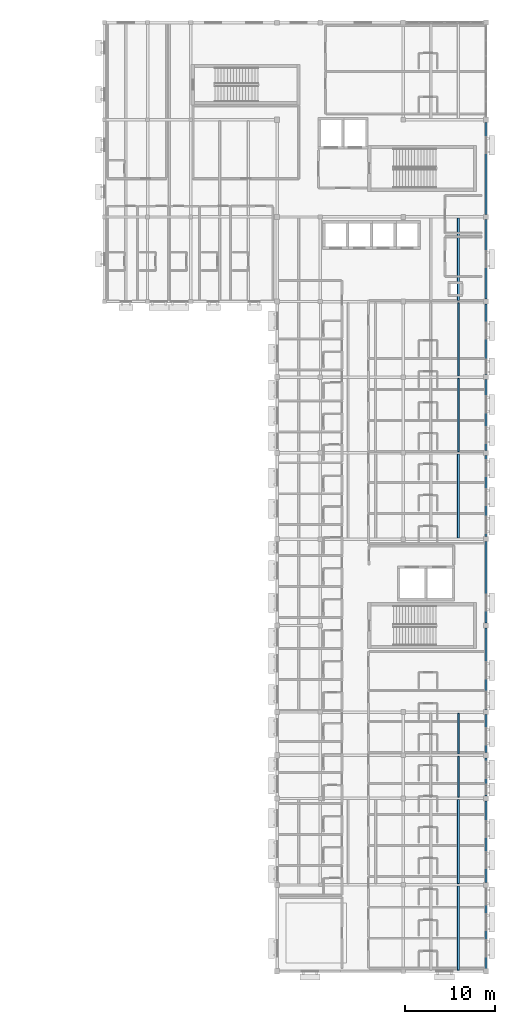
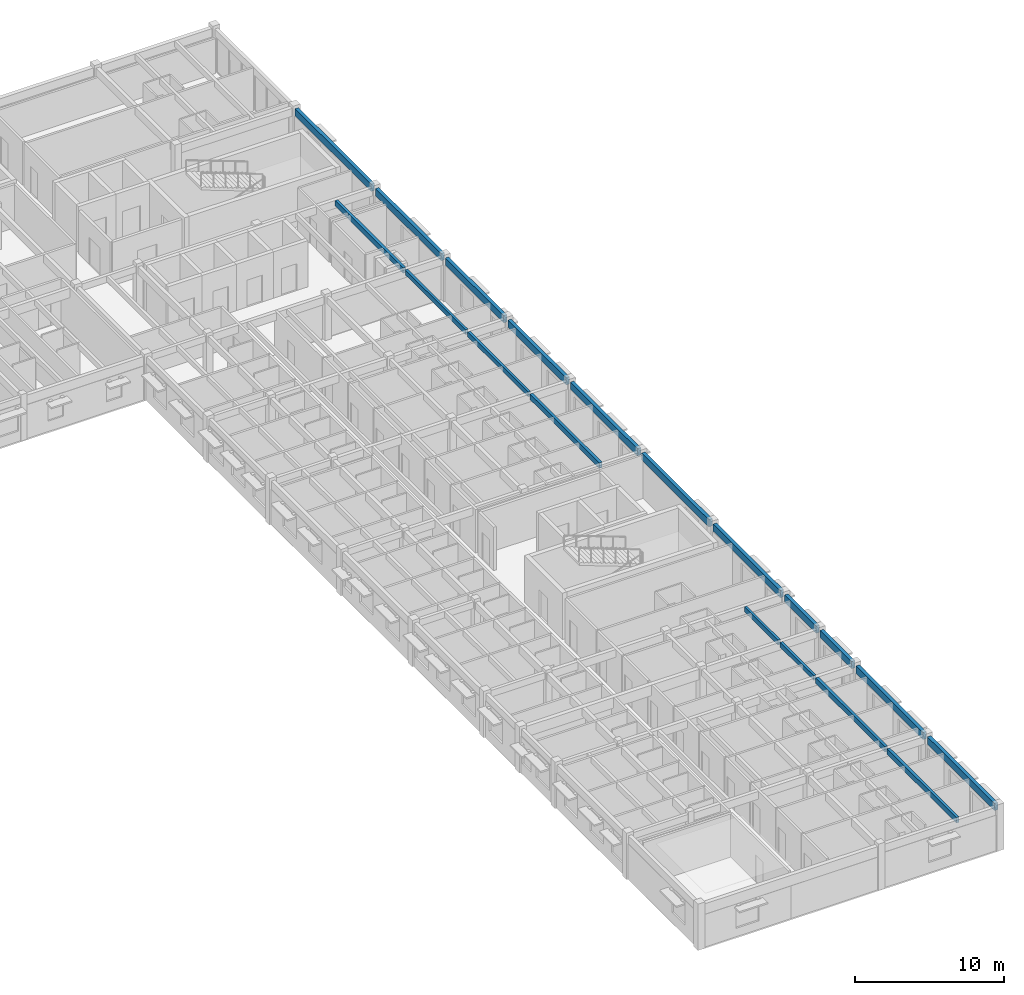
# One storey, part 6 of 31: 19 beams.
"""IFC4 building model written with IfcOpenShell, lengths in metres."""

from ifc_helpers import new_model, si_unit, direction, frame, origin, origin_2d, place, context, subcontext, project, spatial, rectangle, extrude, material, material_profile, profile_set, type_object, element, save


model = new_model("IFC4")

# Units and contexts
model_context = context("Model", 3, precision=1e-05, world=origin(), true_north=direction((0.0, 1.0)))
body_context = subcontext(model_context, "Body", "Model", "MODEL_VIEW")
ifc_project = project(units=[si_unit("LENGTHUNIT", "METRE"), si_unit("AREAUNIT", "SQUARE_METRE"), si_unit("VOLUMEUNIT", "CUBIC_METRE"), si_unit("PLANEANGLEUNIT", "RADIAN"), si_unit("MASSUNIT", "GRAM", prefix="KILO")], contexts=[model_context])

# Site, building, storey
site_placement = place(None, origin())
site = spatial("IfcSite", under=ifc_project, at=site_placement, CompositionType="ELEMENT")
building_placement = place(site_placement, origin())
building = spatial("IfcBuilding", under=site, at=building_placement, Name="Veldera Park Congress Hotel", CompositionType="ELEMENT")
storey_placement = place(building_placement, frame((0.0, 0.0, 20.0)))
storey = spatial("IfcBuildingStorey", under=building, at=storey_placement, Name="L04", CompositionType="ELEMENT", Elevation=20.0)

# Beams
ifc_material = material(Name="Glulam GL28h (NDS 24F-V4)", Category="wood")
ifc_material_profile_1 = material_profile(ifc_material, rectangle(XDim=0.264892578125, YDim=0.580078125, at=origin_2d()), Name="GL28h 265x580")
ifc_profile_set_1 = profile_set([ifc_material_profile_1], Name="Glulam GL28h (NDS 24F-V4)")
beam_type_1 = type_object("IfcBeamType", Name="BM-GL540E", PredefinedType="BEAM", material=ifc_profile_set_1)
for number, where, z_axis, x_axis, name in (
    (1, (84.0, -47.1201171875, 3.260009765625), (0.0, 1.0, 0.0), (-1.0, 0.0, 0.0), "L04 Girder BM-GL540E 1334"),
    (2, (84.0, -37.52001953125, 3.260009765625), (0.0, 1.0, 0.0), (-1.0, 0.0, 0.0), "L04 Girder BM-GL540E 1335"),
):
    element("IfcBeam", number, at=place(storey_placement, frame(where, z_axis=z_axis, x_axis=x_axis)), inside=storey, type_object=beam_type_1, Name=name, PredefinedType="BEAM", context=body_context, shape_type="SweptSolid", body=[
        extrude(rectangle(XDim=0.264892578125, YDim=0.580078125, at=origin_2d()), origin(), (0.0, 0.0, 1.0), 9.0400390625),
    ])
beam_1_placement = place(storey_placement, frame((84.0, -27.919921875, 3.260009765625), z_axis=(0.0, 1.0, 0.0), x_axis=(-1.0, 0.0, 0.0)))
element("IfcBeam", 3, at=beam_1_placement, inside=storey, type_object=beam_type_1, Name="L04 Girder BM-GL540E 1336", PredefinedType="BEAM", context=body_context, shape_type="SweptSolid", body=[
    extrude(rectangle(XDim=0.264892578125, YDim=0.580078125, at=origin_2d()), origin(), (0.0, 0.0, 1.0), 4.239990234375),
])
beam_2_placement = place(storey_placement, frame((84.0, -23.1201171875, 3.260009765625), z_axis=(0.0, 1.0, 0.0), x_axis=(-1.0, 0.0, 0.0)))
element("IfcBeam", 4, at=beam_2_placement, inside=storey, type_object=beam_type_1, Name="L04 Girder BM-GL540E 1337", PredefinedType="BEAM", context=body_context, shape_type="SweptSolid", body=[
    extrude(rectangle(XDim=0.264892578125, YDim=0.580078125, at=origin_2d()), origin(), (0.0, 0.0, 1.0), 4.240234375),
])
for number, where, z_axis, x_axis, name in (
    (5, (84.0, -18.320068359375, 3.260009765625), (0.0, 1.0, 0.0), (-1.0, 0.0, 0.0), "L04 Girder BM-GL540E 1338"),
    (6, (84.0, -8.719970703125, 3.260009765625), (0.0, 1.0, 0.0), (-1.0, 0.0, 0.0), "L04 Girder BM-GL540E 1339"),
    (7, (84.0, 0.8798828125, 3.260009765625), (0.0, 1.0, 0.0), (-1.0, 0.0, 0.0), "L04 Girder BM-GL540E 1340"),
):
    element("IfcBeam", number, at=place(storey_placement, frame(where, z_axis=z_axis, x_axis=x_axis)), inside=storey, type_object=beam_type_1, Name=name, PredefinedType="BEAM", context=body_context, shape_type="SweptSolid", body=[
        extrude(rectangle(XDim=0.264892578125, YDim=0.580078125, at=origin_2d()), origin(), (0.0, 0.0, 1.0), 9.0400390625),
    ])
for number, where, z_axis, x_axis, name in (
    (8, (84.0, 10.47998046875, 3.260009765625), (0.0, 1.0, 0.0), (-1.0, 0.0, 0.0), "L04 Girder BM-GL540E 1341"),
    (9, (84.0, 18.8798828125, 3.260009765625), (0.0, 1.0, 0.0), (-1.0, 0.0, 0.0), "L04 Girder BM-GL540E 1342"),
):
    element("IfcBeam", number, at=place(storey_placement, frame(where, z_axis=z_axis, x_axis=x_axis)), inside=storey, type_object=beam_type_1, Name=name, PredefinedType="BEAM", context=body_context, shape_type="SweptSolid", body=[
        extrude(rectangle(XDim=0.264892578125, YDim=0.580078125, at=origin_2d()), origin(), (0.0, 0.0, 1.0), 7.840087890625),
    ])
beam_3_placement = place(storey_placement, frame((84.0, 27.280029296875, 3.260009765625), z_axis=(0.0, 1.0, 0.0), x_axis=(-1.0, 0.0, 0.0)))
element("IfcBeam", 10, at=beam_3_placement, inside=storey, type_object=beam_type_1, Name="L04 Girder BM-GL540E 1343", PredefinedType="BEAM", context=body_context, shape_type="SweptSolid", body=[
    extrude(rectangle(XDim=0.264892578125, YDim=0.580078125, at=origin_2d()), origin(), (0.0, 0.0, 1.0), 8.840087890625),
])
beam_4_placement = place(storey_placement, frame((84.0, 36.679931640625, 3.260009765625), z_axis=(0.0, 1.0, 0.0), x_axis=(-1.0, 0.0, 0.0)))
element("IfcBeam", 11, at=beam_4_placement, inside=storey, type_object=beam_type_1, Name="L04 Girder BM-GL540E 1344", PredefinedType="BEAM", context=body_context, shape_type="SweptSolid", body=[
    extrude(rectangle(XDim=0.264892578125, YDim=0.580078125, at=origin_2d()), origin(), (0.0, 0.0, 1.0), 10.239990234375),
])
ifc_material_profile_2 = material_profile(ifc_material, rectangle(XDim=0.18994140625, YDim=0.39990234375, at=origin_2d()), Name="GL28h 190x400")
ifc_profile_set_2 = profile_set([ifc_material_profile_2], Name="Glulam GL28h (NDS 24F-V4)")
beam_type_2 = type_object("IfcBeamType", Name="JST-GL400", PredefinedType="JOIST", material=ifc_profile_set_2)
for number, where, z_axis, x_axis, name in (
    (12, (80.933349609375, -28.06005859375, 3.35009765625), (0.0, 1.0, 0.0), (-1.0, 0.0, 0.0), "L04 Floor Joist JST-GL400 1354"),
    (13, (80.933349609375, -23.260009765625, 3.35009765625), (0.0, 1.0, 0.0), (-1.0, 0.0, 0.0), "L04 Floor Joist JST-GL400 1356"),
):
    element("IfcBeam", number, at=place(storey_placement, frame(where, z_axis=z_axis, x_axis=x_axis)), inside=storey, type_object=beam_type_2, Name=name, PredefinedType="JOIST", context=body_context, shape_type="SweptSolid", body=[
        extrude(rectangle(XDim=0.18994140625, YDim=0.39990234375, at=origin_2d()), origin(), (0.0, 0.0, 1.0), 4.52001953125),
    ])
beam_5_placement = place(storey_placement, frame((80.933349609375, 10.340087890625, 3.35009765625), z_axis=(0.0, 1.0, 0.0), x_axis=(-1.0, 0.0, 0.0)))
element("IfcBeam", 14, at=beam_5_placement, inside=storey, type_object=beam_type_2, Name="L04 Floor Joist JST-GL400 1368", PredefinedType="JOIST", context=body_context, shape_type="SweptSolid", body=[
    extrude(rectangle(XDim=0.18994140625, YDim=0.39990234375, at=origin_2d()), origin(), (0.0, 0.0, 1.0), 8.119873046875),
])
beam_6_placement = place(storey_placement, frame((80.933349609375, 18.739990234375, 3.35009765625), z_axis=(0.0, 1.0, 0.0), x_axis=(-1.0, 0.0, 0.0)))
element("IfcBeam", 15, at=beam_6_placement, inside=storey, type_object=beam_type_2, Name="L04 Floor Joist JST-GL400 1373", PredefinedType="JOIST", context=body_context, shape_type="SweptSolid", body=[
    extrude(rectangle(XDim=0.18994140625, YDim=0.39990234375, at=origin_2d()), origin(), (0.0, 0.0, 1.0), 8.1201171875),
])
ifc_material_profile_3 = material_profile(ifc_material, rectangle(XDim=0.215087890625, YDim=0.449951171875, at=origin_2d()), Name="GL28h 215x450")
ifc_profile_set_3 = profile_set([ifc_material_profile_3], Name="Glulam GL28h (NDS 24F-V4)")
beam_type_3 = type_object("IfcBeamType", Name="JST-GL450", PredefinedType="JOIST", material=ifc_profile_set_3)
beam_7_placement = place(storey_placement, frame((80.933349609375, -47.260009765625, 3.324951171875), z_axis=(0.0, 1.0, 0.0), x_axis=(-1.0, 0.0, 0.0)))
element("IfcBeam", 16, at=beam_7_placement, inside=storey, type_object=beam_type_3, Name="L04 Floor Joist JST-GL450 1347", PredefinedType="JOIST", context=body_context, shape_type="SweptSolid", body=[
    extrude(rectangle(XDim=0.215087890625, YDim=0.449951171875, at=origin_2d()), origin(), (0.0, 0.0, 1.0), 9.320068359375),
])
beam_8_placement = place(storey_placement, frame((80.933349609375, -37.659912109375, 3.324951171875), z_axis=(0.0, 1.0, 0.0), x_axis=(-1.0, 0.0, 0.0)))
element("IfcBeam", 17, at=beam_8_placement, inside=storey, type_object=beam_type_3, Name="L04 Floor Joist JST-GL450 1352", PredefinedType="JOIST", context=body_context, shape_type="SweptSolid", body=[
    extrude(rectangle(XDim=0.215087890625, YDim=0.449951171875, at=origin_2d()), origin(), (0.0, 0.0, 1.0), 9.31982421875),
])
beam_9_placement = place(storey_placement, frame((80.933349609375, 0.739990234375, 3.324951171875), z_axis=(0.0, 1.0, 0.0), x_axis=(-1.0, 0.0, 0.0)))
element("IfcBeam", 18, at=beam_9_placement, inside=storey, type_object=beam_type_3, Name="L04 Floor Joist JST-GL450 1363", PredefinedType="JOIST", context=body_context, shape_type="SweptSolid", body=[
    extrude(rectangle(XDim=0.215087890625, YDim=0.449951171875, at=origin_2d()), origin(), (0.0, 0.0, 1.0), 9.320068359375),
])
beam_10_placement = place(storey_placement, frame((80.933349609375, 27.139892578125, 3.324951171875), z_axis=(0.0, 1.0, 0.0), x_axis=(-1.0, 0.0, 0.0)))
element("IfcBeam", 19, at=beam_10_placement, inside=storey, type_object=beam_type_3, Name="L04 Floor Joist JST-GL450 1380", PredefinedType="JOIST", context=body_context, shape_type="SweptSolid", body=[
    extrude(rectangle(XDim=0.215087890625, YDim=0.449951171875, at=origin_2d()), origin(), (0.0, 0.0, 1.0), 9.1201171875),
])

save(model, "model.ifc")
